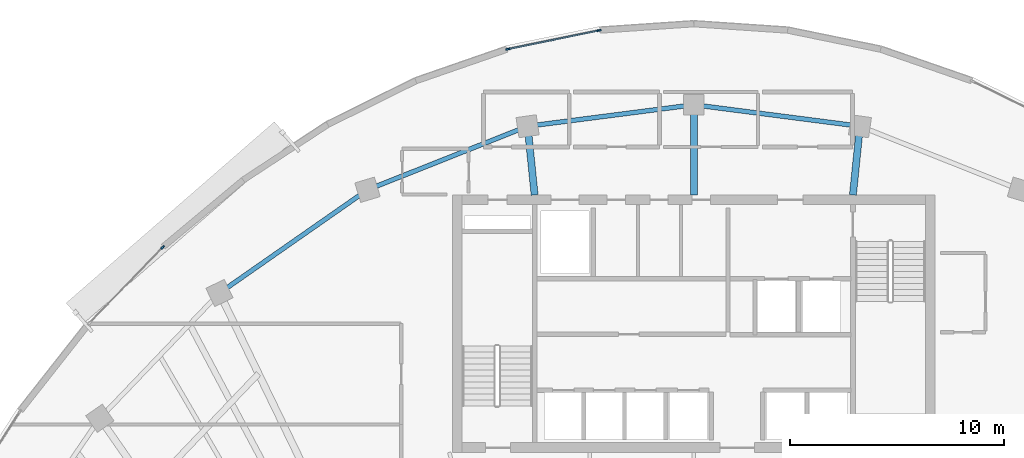
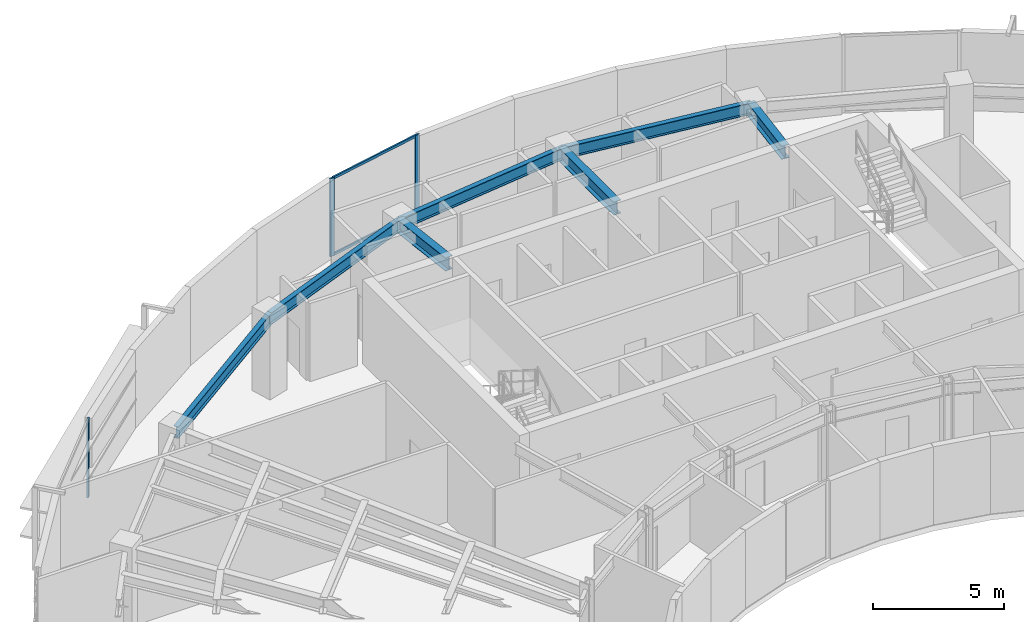
# One storey, part 5 of 14: 7 beams, 5 members, 2 elements without a shape of their own.
"""IFC4 building model written with IfcOpenShell, lengths in metres."""

from ifc_helpers import new_model, si_unit, direction, frame, origin, origin_2d, place, context, subcontext, project, spatial, rectangle, i_section, extrude, source, transform, mapped, material, layer, layer_set, material_profile, profile_set, type_object, element, aggregate, save


model = new_model("IFC4")

# Units and contexts
model_context = context("Model", 3, precision=1e-05, world=origin(), true_north=direction((0.0, 1.0)))
body_context = subcontext(model_context, "Body", "Model", "MODEL_VIEW")
ifc_project = project(units=[si_unit("LENGTHUNIT", "METRE"), si_unit("AREAUNIT", "SQUARE_METRE"), si_unit("VOLUMEUNIT", "CUBIC_METRE"), si_unit("PLANEANGLEUNIT", "RADIAN"), si_unit("MASSUNIT", "GRAM", prefix="KILO")], contexts=[model_context])

# Site, building, storey
site_placement = place(None, origin())
site = spatial("IfcSite", under=ifc_project, at=site_placement, CompositionType="ELEMENT")
building_placement = place(site_placement, origin())
building = spatial("IfcBuilding", under=site, at=building_placement, Name="Breltana Convention Tower", CompositionType="ELEMENT")
storey_placement = place(building_placement, frame((0.0, 0.0, 207.89990234375)))
storey = spatial("IfcBuildingStorey", under=building, at=storey_placement, Name="L50", CompositionType="ELEMENT", Elevation=207.89990234375)

# Beams
ifc_material_1 = material(Name="Steel ASTM A992 Grade 50", Category="steel")
ifc_material_profile_1 = material_profile(ifc_material_1, i_section(OverallWidth=0.326904296875, OverallDepth=0.6220703125, WebThickness=0.015380859375, FlangeThickness=0.0244140625, at=origin_2d()), Name="W24X131")
ifc_profile_set_1 = profile_set([ifc_material_profile_1], Name="Steel ASTM A992 Grade 50")
beam_type_1 = type_object("IfcBeamType", Name="BM-RG-W24X131", PredefinedType="USERDEFINED", material=ifc_profile_set_1)
shared_shape_1 = source(origin(), body_context, "Body", "SweptSolid", [
    extrude(i_section(OverallWidth=0.326904296875, OverallDepth=0.6220703125, WebThickness=0.015380859375, FlangeThickness=0.0244140625, at=origin_2d()), origin(), (0.0, 0.0, 1.0), 3.220947265625),
])
for number, where, z_axis, x_axis, name in (
    (1, (40.580078125, 72.199951171875, 3.3291015625), (-0.101492254858, 0.994836329355, 0.0), (-0.994836329355, -0.101492254858, 0.0), "L50 North Core Radial Girder R05"),
    (2, (55.419921875, 72.199951171875, 3.3291015625), (0.101492254858, 0.994836329355, 0.0), (-0.994836329355, 0.101492254858, 0.0), "L50 North Core Radial Girder R07"),
):
    element("IfcBeam", number, at=place(storey_placement, frame(where, z_axis=z_axis, x_axis=x_axis)), inside=storey, type_object=beam_type_1, Name=name, ObjectType="GIRDER", PredefinedType="USERDEFINED", context=body_context, shape_type="MappedRepresentation", body=[
        mapped(shared_shape_1, transform((0.0, 0.0, 0.0), scale=1.0)),
    ])
shared_shape_2 = source(origin(), body_context, "Body", "SweptSolid", [
    extrude(i_section(OverallWidth=0.326904296875, OverallDepth=0.6220703125, WebThickness=0.015380859375, FlangeThickness=0.0244140625, at=origin_2d()), origin(), (0.0, 0.0, 1.0), 4.2041015625),
])
beam_1_placement = place(storey_placement, frame((48.0, 72.199951171875, 3.3291015625), z_axis=(0.0, 1.0, 0.0), x_axis=(-1.0, 0.0, 0.0)))
element("IfcBeam", 3, at=beam_1_placement, inside=storey, type_object=beam_type_1, Name="L50 North Core Radial Girder R06", ObjectType="GIRDER", PredefinedType="USERDEFINED", context=body_context, shape_type="MappedRepresentation", body=[
    mapped(shared_shape_2, transform((0.0, 0.0, 0.0), scale=1.0)),
])
ifc_material_profile_2 = material_profile(ifc_material_1, i_section(OverallWidth=0.214111328125, OverallDepth=0.549072265625, WebThickness=0.0146484375, FlangeThickness=0.023681640625, at=origin_2d()), Name="W21X93")
ifc_profile_set_2 = profile_set([ifc_material_profile_2], Name="Steel ASTM A992 Grade 50")
beam_type_2 = type_object("IfcBeamType", Name="BM-SP-W21X93", PredefinedType="SPANDREL", material=ifc_profile_set_2)
shared_shape_3 = source(origin(), body_context, "Body", "SweptSolid", [
    extrude(i_section(OverallWidth=0.214111328125, OverallDepth=0.549072265625, WebThickness=0.0146484375, FlangeThickness=0.023681640625, at=origin_2d()), origin(), (0.0, 0.0, 1.0), 8.4169921875),
])
beam_2_placement = place(storey_placement, frame((25.8876953125, 67.626953125, 3.365478515625), z_axis=(0.820173800102, 0.572114444519, 0.0), x_axis=(-0.572114444519, 0.820173800102, 0.0)))
element("IfcBeam", 4, at=beam_2_placement, inside=storey, type_object=beam_type_2, Name="L50 Outer Spandrel Beam 03", PredefinedType="SPANDREL", context=body_context, shape_type="MappedRepresentation", body=[
    mapped(shared_shape_3, transform((0.0, 0.0, 0.0), scale=1.0)),
])
shared_shape_4 = source(origin(), body_context, "Body", "SweptSolid", [
    extrude(i_section(OverallWidth=0.214111328125, OverallDepth=0.549072265625, WebThickness=0.0146484375, FlangeThickness=0.023681640625, at=origin_2d()), origin(), (0.0, 0.0, 1.0), 8.028564453125),
])
beam_3_placement = place(storey_placement, frame((32.791015625, 72.4423828125, 3.365478515625), z_axis=(0.929459100394, 0.368925169507, 0.0), x_axis=(-0.368925169507, 0.929459100394, 0.0)))
element("IfcBeam", 5, at=beam_3_placement, inside=storey, type_object=beam_type_2, Name="L50 Outer Spandrel Beam 04", PredefinedType="SPANDREL", context=body_context, shape_type="MappedRepresentation", body=[
    mapped(shared_shape_4, transform((0.0, 0.0, 0.0), scale=1.0)),
])
shared_shape_5 = source(origin(), body_context, "Body", "SweptSolid", [
    extrude(i_section(OverallWidth=0.214111328125, OverallDepth=0.549072265625, WebThickness=0.0146484375, FlangeThickness=0.023681640625, at=origin_2d()), origin(), (0.0, 0.0, 1.0), 7.81103515625),
])
for number, where, z_axis, x_axis, name in (
    (6, (40.253173828125, 75.404296875, 3.365478515625), (0.991775179127, 0.127992164083, 0.0), (-0.127992164083, 0.991775179127, 0.0), "L50 Outer Spandrel Beam 05"),
    (7, (48.0, 76.404052734375, 3.365478515625), (0.991775179127, -0.127992164083, 0.0), (0.127992164083, 0.991775179127, 0.0), "L50 Outer Spandrel Beam 06"),
):
    element("IfcBeam", number, at=place(storey_placement, frame(where, z_axis=z_axis, x_axis=x_axis)), inside=storey, type_object=beam_type_2, Name=name, PredefinedType="SPANDREL", context=body_context, shape_type="MappedRepresentation", body=[
        mapped(shared_shape_5, transform((0.0, 0.0, 0.0), scale=1.0)),
    ])

# Curtain wall, members
ifc_material_2 = material(Name="Aluminium Anodised Bronze Frame", Category="aluminium")
ifc_layer = layer(ifc_material_2, 0.219970703125, Name="Aluminium Anodised Bronze Frame")
ifc_layer_set = layer_set([ifc_layer], Name="Aluminium Anodised Bronze Frame")
curtain_wall_type = type_object("IfcCurtainWallType", Name="CW-SYS-4", PredefinedType="NOTDEFINED", material=ifc_layer_set)
curtain_wall_1_placement = place(storey_placement, origin())
curtain_wall_1 = element("IfcCurtainWall", 8, at=curtain_wall_1_placement, inside=storey, type_object=curtain_wall_type, Name="L50 outer double-skin inner glazing 3", PredefinedType="NOTDEFINED")
ifc_material_3 = material(Name="Aluminium Anodised Bronze", Category="aluminium")
ifc_material_profile_3 = material_profile(ifc_material_3, rectangle(XDim=0.070068359375, YDim=0.1201171875, at=origin_2d()), Name="CWT-70X120")
ifc_profile_set_3 = profile_set([ifc_material_profile_3], Name="Aluminium Anodised Bronze")
member_type_1 = type_object("IfcMemberType", Name="CWT-120", PredefinedType="USERDEFINED", material=ifc_profile_set_3)
shared_shape_6 = source(origin(), body_context, "Body", "SweptSolid", [
    extrude(rectangle(XDim=0.070068359375, YDim=0.1201171875, at=origin_2d()), origin(), (0.0, 0.0, 1.0), 4.262451171875),
])
member_1_placement = place(storey_placement, frame((39.369384765625, 79.007080078125, 0.03515625), z_axis=(0.97960616963, 0.200927231659, 0.0), x_axis=(-0.200927231659, 0.97960616963, 0.0)))
member_1 = element("IfcMember", 9, at=member_1_placement, type_object=member_type_1, Name="CW-04 transom 1.1", ObjectType="TRANSOM", PredefinedType="USERDEFINED", context=body_context, shape_type="MappedRepresentation", body=[
    mapped(shared_shape_6, transform((0.0, 0.0, 0.0), scale=1.0)),
])
member_2_placement = place(storey_placement, frame((39.369384765625, 79.007080078125, 3.60498046875), z_axis=(0.97960616963, 0.200927231659, 0.0), x_axis=(-0.200927231659, 0.97960616963, 0.0)))
member_2 = element("IfcMember", 10, at=member_2_placement, type_object=member_type_1, Name="CW-04 transom 1.2", ObjectType="TRANSOM", PredefinedType="USERDEFINED", context=body_context, shape_type="MappedRepresentation", body=[
    mapped(shared_shape_6, transform((0.0, 0.0, 0.0), scale=1.0)),
])

# Curtain wall, member
curtain_wall_2_placement = place(storey_placement, origin())
curtain_wall_2 = element("IfcCurtainWall", 11, at=curtain_wall_2_placement, inside=storey, type_object=curtain_wall_type, Name="L50 outer double-skin inner glazing 2", PredefinedType="NOTDEFINED")
ifc_material_profile_4 = material_profile(ifc_material_3, rectangle(XDim=0.080078125, YDim=0.199951171875, at=origin_2d()), Name="CWM-80X200")
ifc_profile_set_4 = profile_set([ifc_material_profile_4], Name="Aluminium Anodised Bronze")
member_type_2 = type_object("IfcMemberType", Name="CWM-200", PredefinedType="MULLION", material=ifc_profile_set_4)
shared_shape_7 = source(origin(), body_context, "Body", "SweptSolid", [
    extrude(rectangle(XDim=0.080078125, YDim=0.199951171875, at=origin_2d()), origin(), (0.0, 0.0, 1.0), 3.64013671875),
])
member_3_placement = place(storey_placement, frame((23.240234375, 69.759033203125, 0.0), z_axis=(0.0, 0.0, 1.0), x_axis=(-0.719396292115, 0.694599866751, 0.0)))
member_3 = element("IfcMember", 12, at=member_3_placement, type_object=member_type_2, Name="CW-04 mullion 2", PredefinedType="MULLION", context=body_context, shape_type="MappedRepresentation", body=[
    mapped(shared_shape_7, transform((0.0, 0.0, 0.0), scale=1.0)),
])
aggregate(curtain_wall_2, [member_3])

# Member
member_4_placement = place(storey_placement, frame((39.330078125, 78.9990234375, 0.0), z_axis=(0.0, 0.0, 1.0), x_axis=(-0.200879604523, 0.979615937236, 0.0)))
member_4 = element("IfcMember", 13, at=member_4_placement, type_object=member_type_2, Name="CW-04 mullion 1", PredefinedType="MULLION", context=body_context, shape_type="MappedRepresentation", body=[
    mapped(shared_shape_7, transform((0.0, 0.0, 0.0), scale=1.0)),
])

member_5_placement = place(storey_placement, frame((43.584228515625, 79.87158203125, 0.0), z_axis=(0.0, 0.0, 1.0), x_axis=(-0.200879604523, 0.979615937236, 0.0)))
member_5 = element("IfcMember", 14, at=member_5_placement, type_object=member_type_2, Name="CW-04 mullion 2", PredefinedType="MULLION", context=body_context, shape_type="MappedRepresentation", body=[
    mapped(shared_shape_7, transform((0.0, 0.0, 0.0), scale=1.0)),
])

aggregate(curtain_wall_1, [member_4, member_5, member_1, member_2])

save(model, "model.ifc")
